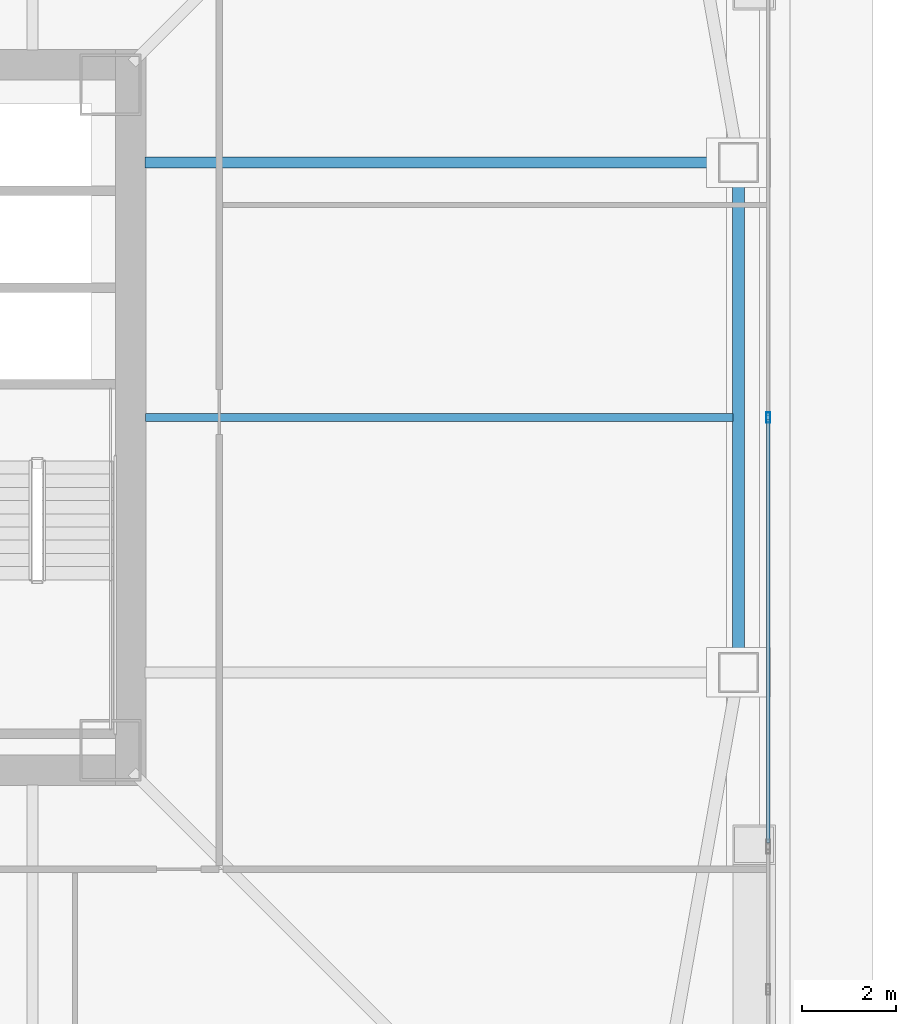
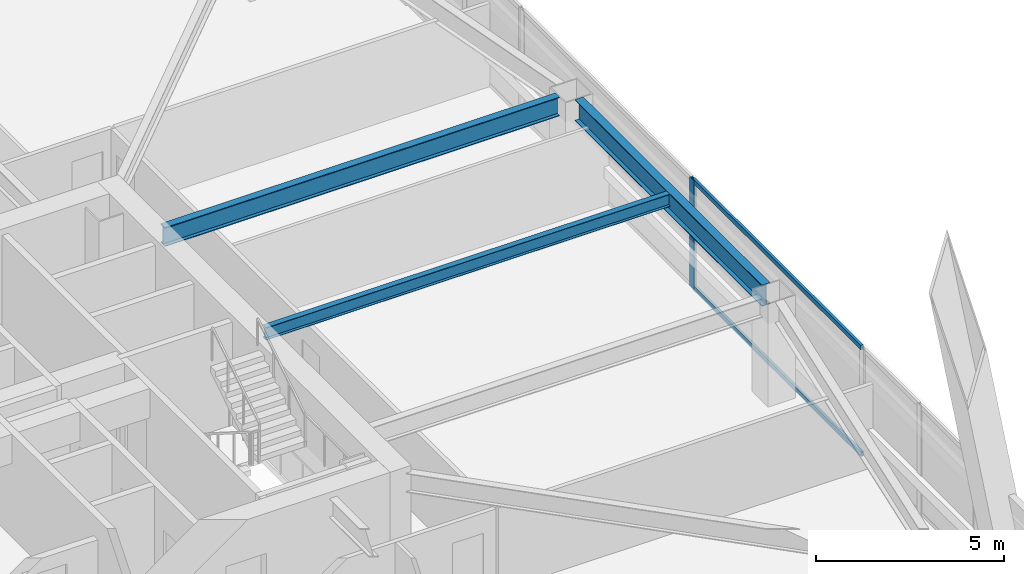
# One storey, part 17 of 67: 3 beams, 3 members, 1 element without a shape of its own.
"""IFC4 building model written with IfcOpenShell, lengths in metres."""

from ifc_helpers import new_model, si_unit, direction, frame, origin, origin_2d, place, context, subcontext, project, spatial, hollow_rectangle, i_section, extrude, material, material_profile, profile_set, type_object, element, aggregate, save


model = new_model("IFC4")

# Units and contexts
model_context = context("Model", 3, precision=1e-05, world=origin(), true_north=direction((0.0, 1.0)))
body_context = subcontext(model_context, "Body", "Model", "MODEL_VIEW")
ifc_project = project(units=[si_unit("LENGTHUNIT", "METRE"), si_unit("AREAUNIT", "SQUARE_METRE"), si_unit("VOLUMEUNIT", "CUBIC_METRE"), si_unit("PLANEANGLEUNIT", "RADIAN"), si_unit("MASSUNIT", "GRAM", prefix="KILO")], contexts=[model_context])

# Site, building, storey
site_placement = place(None, origin())
site = spatial("IfcSite", under=ifc_project, at=site_placement, CompositionType="ELEMENT")
building_placement = place(site_placement, origin())
building = spatial("IfcBuilding", under=site, at=building_placement, Name="Tashvorn Skyway Center", CompositionType="ELEMENT")
storey_placement = place(building_placement, frame((0.0, 0.0, 67.199951171875)))
storey = spatial("IfcBuildingStorey", under=building, at=storey_placement, Name="L17", CompositionType="ELEMENT", Elevation=67.199951171875)

# Beams
ifc_material_1 = material(Name="Steel ASTM A992 Grade 50", Category="steel")
ifc_material_profile_1 = material_profile(ifc_material_1, i_section(OverallWidth=0.22998046875, OverallDepth=0.616943359375, WebThickness=0.01318359375, FlangeThickness=0.022216796875, at=origin_2d()), Name="W24X94")
ifc_profile_set_1 = profile_set([ifc_material_profile_1], Name="Steel ASTM A992 Grade 50")
beam_type_1 = type_object("IfcBeamType", Name="BM-BEAM-W24X94", PredefinedType="BEAM", material=ifc_profile_set_1)
beam_1_placement = place(storey_placement, frame((61.929931640625, 37.39990234375, 3.04150390625), z_axis=(-1.0, 0.0, 0.0), x_axis=(0.0, -1.0, 0.0)))
element("IfcBeam", 1, at=beam_1_placement, inside=storey, type_object=beam_type_1, Name="Tower 1 L17 Primary Floor Girder FC-E2", PredefinedType="BEAM", context=body_context, shape_type="SweptSolid", body=[
    extrude(i_section(OverallWidth=0.22998046875, OverallDepth=0.616943359375, WebThickness=0.01318359375, FlangeThickness=0.022216796875, at=origin_2d()), origin(), (0.0, 0.0, 1.0), 12.14990234375),
])
ifc_material_profile_2 = material_profile(ifc_material_1, i_section(OverallWidth=0.177978515625, OverallDepth=0.406005859375, WebThickness=0.0078125, FlangeThickness=0.0126953125, at=origin_2d()), Name="W16X40")
ifc_profile_set_2 = profile_set([ifc_material_profile_2], Name="Steel ASTM A992 Grade 50")
beam_type_2 = type_object("IfcBeamType", Name="BM-JOIST-W16X40", PredefinedType="JOIST", material=ifc_profile_set_2)
beam_2_placement = place(storey_placement, frame((49.7900390625, 32.0, 3.14697265625), z_axis=(1.0, 0.0, 0.0), x_axis=(0.0, 1.0, 0.0)))
element("IfcBeam", 2, at=beam_2_placement, inside=storey, type_object=beam_type_2, Name="Tower 1 L17 Secondary Composite Joist JE", PredefinedType="JOIST", context=body_context, shape_type="SweptSolid", body=[
    extrude(i_section(OverallWidth=0.177978515625, OverallDepth=0.406005859375, WebThickness=0.0078125, FlangeThickness=0.0126953125, at=origin_2d()), origin(), (0.0, 0.0, 1.0), 12.43994140625),
])
ifc_material_profile_3 = material_profile(ifc_material_1, i_section(OverallWidth=0.256103515625, OverallDepth=0.693115234375, WebThickness=0.014404296875, FlangeThickness=0.023681640625, at=origin_2d()), Name="W27X114")
ifc_profile_set_3 = profile_set([ifc_material_profile_3], Name="Steel ASTM A992 Grade 50")
beam_type_3 = type_object("IfcBeamType", Name="BM-SPANDREL-W27X114", PredefinedType="SPANDREL", material=ifc_profile_set_3)
beam_3_placement = place(storey_placement, frame((62.35009765625, 27.02001953125, 3.003662109375), z_axis=(0.0, 1.0, 0.0), x_axis=(-1.0, 0.0, 0.0)))
element("IfcBeam", 3, at=beam_3_placement, inside=storey, type_object=beam_type_3, Name="Tower 1 L17 Spandrel Beam 05", PredefinedType="SPANDREL", context=body_context, shape_type="SweptSolid", body=[
    extrude(i_section(OverallWidth=0.256103515625, OverallDepth=0.693115234375, WebThickness=0.014404296875, FlangeThickness=0.023681640625, at=origin_2d()), origin(), (0.0, 0.0, 1.0), 9.9599609375),
])

# Curtain wall, members
ifc_material_2 = material(Name="Thermally broken bronze-anodized aluminium 6063-T6", Category="aluminium")
curtain_wall_type = type_object("IfcCurtainWallType", Name="CW-CW-Z2", PredefinedType="NOTDEFINED", material=ifc_material_2)
curtain_wall_placement = place(storey_placement, origin())
curtain_wall = element("IfcCurtainWall", 4, at=curtain_wall_placement, inside=storey, type_object=curtain_wall_type, Name="Tower 1 L17 East Unitised Curtain Wall Glazing Group 2", PredefinedType="NOTDEFINED")
ifc_material_profile_4 = material_profile(ifc_material_2, hollow_rectangle(XDim=0.080078125, YDim=0.219970703125, WallThickness=0.0048828125, at=origin_2d()), Name="ALU-MULL-80x220")
ifc_profile_set_4 = profile_set([ifc_material_profile_4], Name="Thermally broken bronze-anodized aluminium 6063-T6")
member_type_1 = type_object("IfcMemberType", Name="CWM-CW-Z2", PredefinedType="MULLION", material=ifc_profile_set_4)
member_1_placement = place(storey_placement, frame((62.97998046875, 32.0, 0.0), z_axis=(0.0, 0.0, 1.0), x_axis=(1.0, 0.0, 0.0)))
member_1 = element("IfcMember", 5, at=member_1_placement, type_object=member_type_1, Name="CW-Z2 mullion 2", PredefinedType="MULLION", context=body_context, shape_type="SweptSolid", body=[
    extrude(hollow_rectangle(XDim=0.080078125, YDim=0.219970703125, WallThickness=0.0048828125, at=origin_2d()), origin(), (0.0, 0.0, 1.0), 3.550048828125),
])
ifc_material_profile_5 = material_profile(ifc_material_2, hollow_rectangle(XDim=0.080078125, YDim=0.14990234375, WallThickness=0.00439453125, at=origin_2d()), Name="ALU-TRAN-80x150")
ifc_profile_set_5 = profile_set([ifc_material_profile_5], Name="Thermally broken bronze-anodized aluminium 6063-T6")
member_type_2 = type_object("IfcMemberType", Name="CWT-CW-Z2", PredefinedType="USERDEFINED", material=ifc_profile_set_5)
member_2_placement = place(storey_placement, frame((62.97998046875, 31.9599609375, 0.0400390625), z_axis=(0.0, -1.0, 0.0), x_axis=(1.0, 0.0, 0.0)))
member_2 = element("IfcMember", 6, at=member_2_placement, type_object=member_type_2, Name="CW-Z2 transom 2.1", ObjectType="TRANSOM", PredefinedType="USERDEFINED", context=body_context, shape_type="SweptSolid", body=[
    extrude(hollow_rectangle(XDim=0.080078125, YDim=0.14990234375, WallThickness=0.00439453125, at=origin_2d()), origin(), (0.0, 0.0, 1.0), 8.969970703125),
])
member_3_placement = place(storey_placement, frame((62.97998046875, 31.9599609375, 3.510009765625), z_axis=(0.0, -1.0, 0.0), x_axis=(1.0, 0.0, 0.0)))
member_3 = element("IfcMember", 7, at=member_3_placement, type_object=member_type_2, Name="CW-Z2 transom 2.2", ObjectType="TRANSOM", PredefinedType="USERDEFINED", context=body_context, shape_type="SweptSolid", body=[
    extrude(hollow_rectangle(XDim=0.080078125, YDim=0.14990234375, WallThickness=0.00439453125, at=origin_2d()), origin(), (0.0, 0.0, 1.0), 8.969970703125),
])
aggregate(curtain_wall, [member_1, member_2, member_3])

save(model, "model.ifc")
